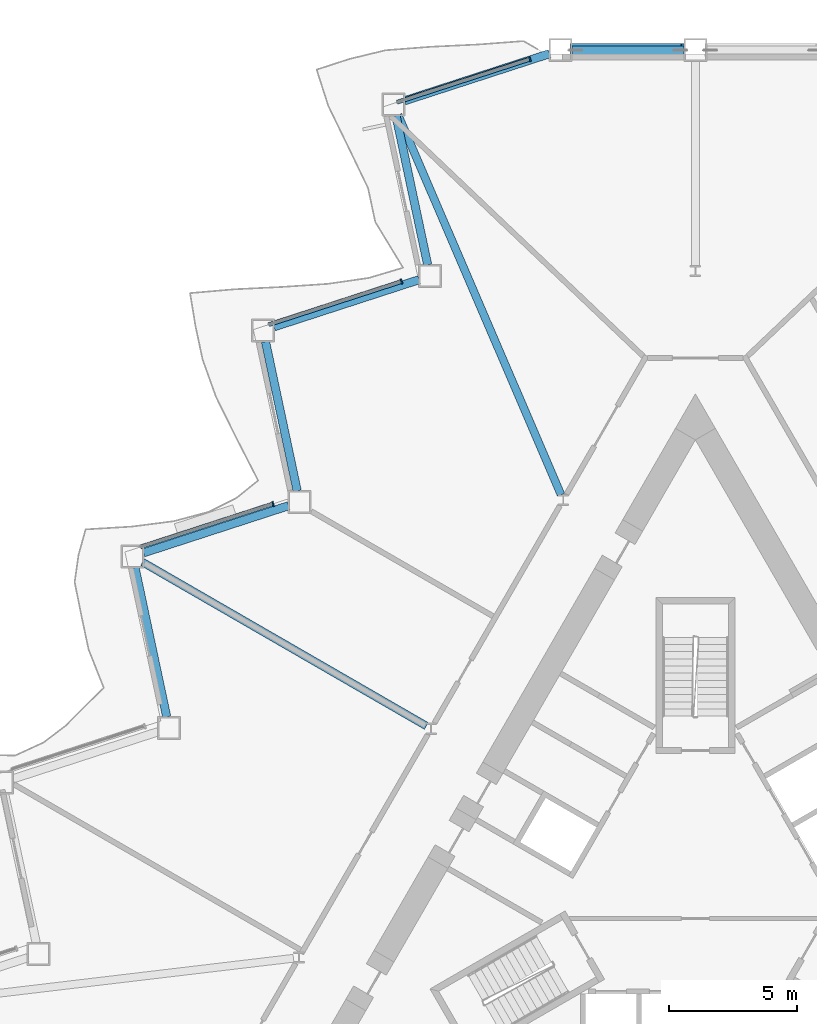
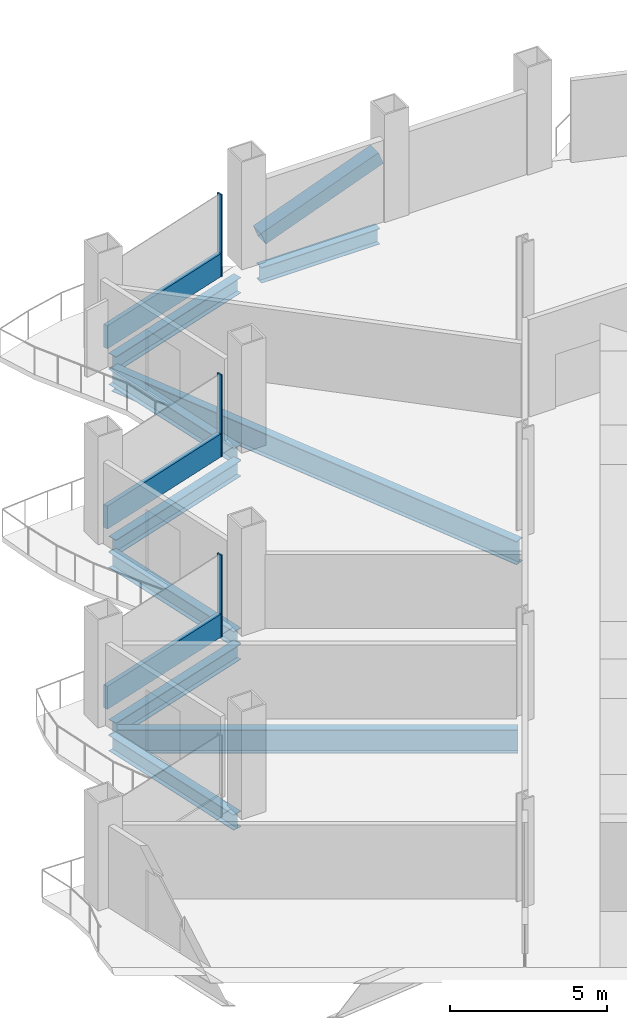
# One storey, part 7 of 21: 9 beams, 7 members, 3 elements without a shape of their own.
"""IFC4 building model written with IfcOpenShell, lengths in metres."""

from ifc_helpers import new_model, si_unit, direction, frame, origin, origin_2d, place, context, subcontext, project, spatial, rectangle, hollow_rectangle, i_section, extrude, material, layer, layer_set, material_profile, profile_set, type_object, element, aggregate, save


model = new_model("IFC4")

# Units and contexts
model_context = context("Model", 3, precision=1e-05, world=origin(), true_north=direction((0.0, 1.0)))
body_context = subcontext(model_context, "Body", "Model", "MODEL_VIEW")
ifc_project = project(units=[si_unit("LENGTHUNIT", "METRE"), si_unit("AREAUNIT", "SQUARE_METRE"), si_unit("VOLUMEUNIT", "CUBIC_METRE"), si_unit("PLANEANGLEUNIT", "RADIAN"), si_unit("MASSUNIT", "GRAM", prefix="KILO")], contexts=[model_context])

# Site, building, storey
site_placement = place(None, origin())
site = spatial("IfcSite", under=ifc_project, at=site_placement, CompositionType="ELEMENT")
building_placement = place(site_placement, origin())
building = spatial("IfcBuilding", under=site, at=building_placement, Name="Cormorant Prow Tower", CompositionType="ELEMENT")
storey_placement = place(building_placement, frame((0.0, 0.0, 116.39990234375)))
storey = spatial("IfcBuildingStorey", under=building, at=storey_placement, Name="L24", CompositionType="ELEMENT", Elevation=116.39990234375)

# Member
ifc_material_1 = material(Name="Structural steel ASTM A500 Gr C", Category="steel")
ifc_material_profile_1 = material_profile(ifc_material_1, hollow_rectangle(XDim=0.508056640625, YDim=0.508056640625, WallThickness=0.014892578125, at=origin_2d()), Name="HSS20x20x5/8")
ifc_profile_set_1 = profile_set([ifc_material_profile_1], Name="Structural steel ASTM A500 Gr C")
member_type_1 = type_object("IfcMemberType", Name="Chamfer brace HSS20x20x5/8", PredefinedType="BRACE", material=ifc_profile_set_1)
member_1_placement = place(storey_placement, frame((-4.8017578125, 32.487060546875, 0.776611328125), z_axis=(0.935582009332, 0.0, 0.353109478511), x_axis=(0.0, 1.0, 0.0)))
element("IfcMember", 1, at=member_1_placement, inside=storey, type_object=member_type_1, Name="Chamfer brace BR1 at N01 L24", PredefinedType="BRACE", context=body_context, shape_type="SweptSolid", body=[
    extrude(hollow_rectangle(XDim=0.508056640625, YDim=0.508056640625, WallThickness=0.014892578125, at=origin_2d()), origin(), (0.0, 0.0, 1.0), 4.63232421875),
])

# Curtain wall, member
ifc_material_2 = material(Name="Aluminium 6063-T6", Category="aluminium")
ifc_layer = layer(ifc_material_2, 0.199951171875)
ifc_layer_set = layer_set([ifc_layer], Name="Aluminium 6063-T6")
curtain_wall_type = type_object("IfcCurtainWallType", Name="Office unitised curtain wall 200", PredefinedType="NOTDEFINED", material=ifc_layer_set)
curtain_wall_1_placement = place(storey_placement, origin())
curtain_wall_1 = element("IfcCurtainWall", 2, at=curtain_wall_1_placement, inside=storey, type_object=curtain_wall_type, Name="Office curtain wall WNW00", PredefinedType="NOTDEFINED")
ifc_material_3 = material(Name="Aluminium 6063-T6", Category="aluminium")
ifc_material_profile_2 = material_profile(ifc_material_3, rectangle(XDim=0.199951171875, YDim=0.06005859375, at=origin_2d()), Name="Office mullion 60x200")
ifc_profile_set_2 = profile_set([ifc_material_profile_2], Name="Aluminium 6063-T6")
member_type_2 = type_object("IfcMemberType", Name="Office mullion 60x200", PredefinedType="MULLION", material=ifc_profile_set_2)
member_2_placement = place(storey_placement, frame((-6.469970703125, 32.1357421875, 0.0), z_axis=(0.0, 0.0, 1.0), x_axis=(0.309017025349, -0.951056506231, 0.0)))
member_2 = element("IfcMember", 3, at=member_2_placement, type_object=member_type_2, Name="Office mullion WNW00", PredefinedType="MULLION", context=body_context, shape_type="SweptSolid", body=[
    extrude(rectangle(XDim=0.199951171875, YDim=0.06005859375, at=origin_2d()), origin(), (0.0, 0.0, 1.0), 3.18896484375),
])

curtain_wall_2_placement = place(storey_placement, origin())
curtain_wall_2 = element("IfcCurtainWall", 4, at=curtain_wall_2_placement, inside=storey, type_object=curtain_wall_type, Name="Office curtain wall WNW02", PredefinedType="NOTDEFINED")
member_3_placement = place(storey_placement, frame((-11.488037109375, 23.444091796875, 0.0), z_axis=(0.0, 0.0, 1.0), x_axis=(0.309017025349, -0.951056506231, 0.0)))
member_3 = element("IfcMember", 5, at=member_3_placement, type_object=member_type_2, Name="Office mullion WNW02", PredefinedType="MULLION", context=body_context, shape_type="SweptSolid", body=[
    extrude(rectangle(XDim=0.199951171875, YDim=0.06005859375, at=origin_2d()), origin(), (0.0, 0.0, 1.0), 3.18896484375),
])

curtain_wall_3_placement = place(storey_placement, origin())
curtain_wall_3 = element("IfcCurtainWall", 6, at=curtain_wall_3_placement, inside=storey, type_object=curtain_wall_type, Name="Office curtain wall WNW04", PredefinedType="NOTDEFINED")
member_4_placement = place(storey_placement, frame((-16.506103515625, 14.752685546875, 0.0), z_axis=(0.0, 0.0, 1.0), x_axis=(0.309017025349, -0.951056506231, 0.0)))
member_4 = element("IfcMember", 7, at=member_4_placement, type_object=member_type_2, Name="Office mullion WNW04", PredefinedType="MULLION", context=body_context, shape_type="SweptSolid", body=[
    extrude(rectangle(XDim=0.199951171875, YDim=0.06005859375, at=origin_2d()), origin(), (0.0, 0.0, 1.0), 3.18896484375),
])

# Member
ifc_material_4 = material(Name="Terracotta", Category="masonry")
ifc_material_profile_3 = material_profile(ifc_material_4, rectangle(XDim=0.159912109375, YDim=0.89990234375, at=origin_2d()), Name="Office terracotta spandrel rail 160x900")
ifc_profile_set_3 = profile_set([ifc_material_profile_3], Name="Terracotta")
member_type_3 = type_object("IfcMemberType", Name="Office terracotta spandrel rail 160x900", PredefinedType="USERDEFINED", material=ifc_profile_set_3)
member_5_placement = place(storey_placement, frame((-6.49853515625, 32.12646484375, 0.4501953125), z_axis=(-0.951056573288, -0.309016818968, 0.0), x_axis=(0.309016818968, -0.951056573288, 0.0)))
member_5 = element("IfcMember", 8, at=member_5_placement, type_object=member_type_3, Name="Office spandrel rail WNW00", ObjectType="TRANSOM", PredefinedType="USERDEFINED", context=body_context, shape_type="SweptSolid", body=[
    extrude(rectangle(XDim=0.159912109375, YDim=0.89990234375, at=origin_2d()), origin(), (0.0, 0.0, 1.0), 5.420654296875),
])

aggregate(curtain_wall_1, [member_2, member_5])

member_6_placement = place(storey_placement, frame((-11.5166015625, 23.434814453125, 0.4501953125), z_axis=(-0.951056573288, -0.309016818968, 0.0), x_axis=(0.309016818968, -0.951056573288, 0.0)))
member_6 = element("IfcMember", 9, at=member_6_placement, type_object=member_type_3, Name="Office spandrel rail WNW02", ObjectType="TRANSOM", PredefinedType="USERDEFINED", context=body_context, shape_type="SweptSolid", body=[
    extrude(rectangle(XDim=0.159912109375, YDim=0.89990234375, at=origin_2d()), origin(), (0.0, 0.0, 1.0), 5.420654296875),
])

aggregate(curtain_wall_2, [member_3, member_6])

member_7_placement = place(storey_placement, frame((-16.53466796875, 14.743408203125, 0.4501953125), z_axis=(-0.951056573288, -0.309016818968, 0.0), x_axis=(0.309016818968, -0.951056573288, 0.0)))
member_7 = element("IfcMember", 10, at=member_7_placement, type_object=member_type_3, Name="Office spandrel rail WNW04", ObjectType="TRANSOM", PredefinedType="USERDEFINED", context=body_context, shape_type="SweptSolid", body=[
    extrude(rectangle(XDim=0.159912109375, YDim=0.89990234375, at=origin_2d()), origin(), (0.0, 0.0, 1.0), 5.420654296875),
])

aggregate(curtain_wall_3, [member_4, member_7])

# Beams
ifc_material_5 = material(Name="Structural steel ASTM A992 Gr 50", Category="steel")
ifc_material_profile_4 = material_profile(ifc_material_5, i_section(OverallWidth=0.3046875, OverallDepth=0.914794921875, WebThickness=0.0166015625, FlangeThickness=0.02587890625, at=origin_2d()), Name="W36x160")
ifc_profile_set_4 = profile_set([ifc_material_profile_4], Name="Structural steel ASTM A992 Gr 50")
beam_type_1 = type_object("IfcBeamType", Name="Radial floor beam W36x160", PredefinedType="BEAM", material=ifc_profile_set_4)
beam_1_placement = place(storey_placement, frame((-5.25, 15.107666015625, -0.857177734375), z_axis=(-0.394273140268, 0.918993302948, 0.0), x_axis=(-0.918993302948, -0.394273140268, 0.0)))
element("IfcBeam", 11, at=beam_1_placement, inside=storey, type_object=beam_type_1, Name="Radial floor beam FB1 2 L24", PredefinedType="BEAM", context=body_context, shape_type="SweptSolid", body=[
    extrude(i_section(OverallWidth=0.3046875, OverallDepth=0.914794921875, WebThickness=0.0166015625, FlangeThickness=0.02587890625, at=origin_2d()), origin(), (0.0, 0.0, 1.0), 16.153564453125),
])
beam_2_placement = place(storey_placement, frame((-10.516845703125, 6.07177734375, -0.857177734375), z_axis=(-0.866021760006, 0.500006311156, 0.0), x_axis=(-0.500006311156, -0.866021760006, 0.0)))
element("IfcBeam", 12, at=beam_2_placement, inside=storey, type_object=beam_type_1, Name="Radial floor beam FB1 3 L24", PredefinedType="BEAM", context=body_context, shape_type="SweptSolid", body=[
    extrude(i_section(OverallWidth=0.3046875, OverallDepth=0.914794921875, WebThickness=0.0166015625, FlangeThickness=0.02587890625, at=origin_2d()), origin(), (0.0, 0.0, 1.0), 12.805419921875),
])
ifc_material_6 = material(Name="Structural steel ASTM A992 Gr 50", Category="steel")
ifc_material_profile_5 = material_profile(ifc_material_6, i_section(OverallWidth=0.32373046875, OverallDepth=0.611083984375, WebThickness=0.0126953125, FlangeThickness=0.01904296875, at=origin_2d()), Name="W24x104")
ifc_profile_set_5 = profile_set([ifc_material_profile_5], Name="Structural steel ASTM A992 Gr 50")
beam_type_2 = type_object("IfcBeamType", Name="Spandrel beam W24x104", PredefinedType="SPANDREL", material=ifc_profile_set_5)
beam_3_placement = place(storey_placement, frame((-0.449951171875, 32.487060546875, -0.70556640625), z_axis=(-1.0, 0.0, 0.0), x_axis=(0.0, -1.0, 0.0)))
element("IfcBeam", 13, at=beam_3_placement, inside=storey, type_object=beam_type_2, Name="Spandrel beam SB1 N01-WNW00 L24", PredefinedType="SPANDREL", context=body_context, shape_type="SweptSolid", body=[
    extrude(i_section(OverallWidth=0.32373046875, OverallDepth=0.611083984375, WebThickness=0.0126953125, FlangeThickness=0.01904296875, at=origin_2d()), origin(), (0.0, 0.0, 1.0), 4.36962890625),
])
beam_4_placement = place(storey_placement, frame((-5.69775390625, 32.347900390625, -0.70556640625), z_axis=(-0.951055430656, -0.309020335608, 0.0), x_axis=(0.309020335608, -0.951055430656, 0.0)))
element("IfcBeam", 14, at=beam_4_placement, inside=storey, type_object=beam_type_2, Name="Spandrel beam SB1 WNW00-WNW01 L24", PredefinedType="SPANDREL", context=body_context, shape_type="SweptSolid", body=[
    extrude(i_section(OverallWidth=0.32373046875, OverallDepth=0.611083984375, WebThickness=0.0126953125, FlangeThickness=0.01904296875, at=origin_2d()), origin(), (0.0, 0.0, 1.0), 5.96240234375),
])
beam_5_placement = place(storey_placement, frame((-11.702880859375, 29.926025390625, -0.70556640625), z_axis=(0.207920947907, -0.978145633033, 0.0), x_axis=(0.978145633033, 0.207920947907, 0.0)))
element("IfcBeam", 15, at=beam_5_placement, inside=storey, type_object=beam_type_2, Name="Spandrel beam SB1 WNW01-WNW02 L24", PredefinedType="SPANDREL", context=body_context, shape_type="SweptSolid", body=[
    extrude(i_section(OverallWidth=0.32373046875, OverallDepth=0.611083984375, WebThickness=0.0126953125, FlangeThickness=0.01904296875, at=origin_2d()), origin(), (0.0, 0.0, 1.0), 5.962646484375),
])
beam_6_placement = place(storey_placement, frame((-10.797607421875, 23.5146484375, -0.70556640625), z_axis=(-0.95104730696, -0.309045336358, 0.0), x_axis=(0.309045336358, -0.95104730696, 0.0)))
element("IfcBeam", 16, at=beam_6_placement, inside=storey, type_object=beam_type_2, Name="Spandrel beam SB1 WNW02-WNW03 L24", PredefinedType="SPANDREL", context=body_context, shape_type="SweptSolid", body=[
    extrude(i_section(OverallWidth=0.32373046875, OverallDepth=0.611083984375, WebThickness=0.0126953125, FlangeThickness=0.01904296875, at=origin_2d()), origin(), (0.0, 0.0, 1.0), 5.962890625),
])
for number, where, z_axis, x_axis, name in (
    (17, (-16.802734375, 21.0927734375, -0.70556640625), (0.207920947907, -0.978145633033, 0.0), (0.978145633033, 0.207920947907, 0.0), "Spandrel beam SB1 WNW03-WNW04 L24"),
    (18, (-15.8974609375, 14.68115234375, -0.70556640625), (-0.951059340519, -0.309008302174, 0.0), (0.309008302174, -0.951059340519, 0.0), "Spandrel beam SB1 WNW04-WNW05 L24"),
):
    element("IfcBeam", number, at=place(storey_placement, frame(where, z_axis=z_axis, x_axis=x_axis)), inside=storey, type_object=beam_type_2, Name=name, PredefinedType="SPANDREL", context=body_context, shape_type="SweptSolid", body=[
        extrude(i_section(OverallWidth=0.32373046875, OverallDepth=0.611083984375, WebThickness=0.0126953125, FlangeThickness=0.01904296875, at=origin_2d()), origin(), (0.0, 0.0, 1.0), 5.962646484375),
    ])
beam_7_placement = place(storey_placement, frame((-21.90283203125, 12.259521484375, -0.70556640625), z_axis=(0.207912620873, -0.978147403044, 0.0), x_axis=(0.978147403044, 0.207912620873, 0.0)))
element("IfcBeam", 19, at=beam_7_placement, inside=storey, type_object=beam_type_2, Name="Spandrel beam SB1 WNW05-WNW06 L24", PredefinedType="SPANDREL", context=body_context, shape_type="SweptSolid", body=[
    extrude(i_section(OverallWidth=0.32373046875, OverallDepth=0.611083984375, WebThickness=0.0126953125, FlangeThickness=0.01904296875, at=origin_2d()), origin(), (0.0, 0.0, 1.0), 5.962890625),
])

save(model, "model.ifc")
